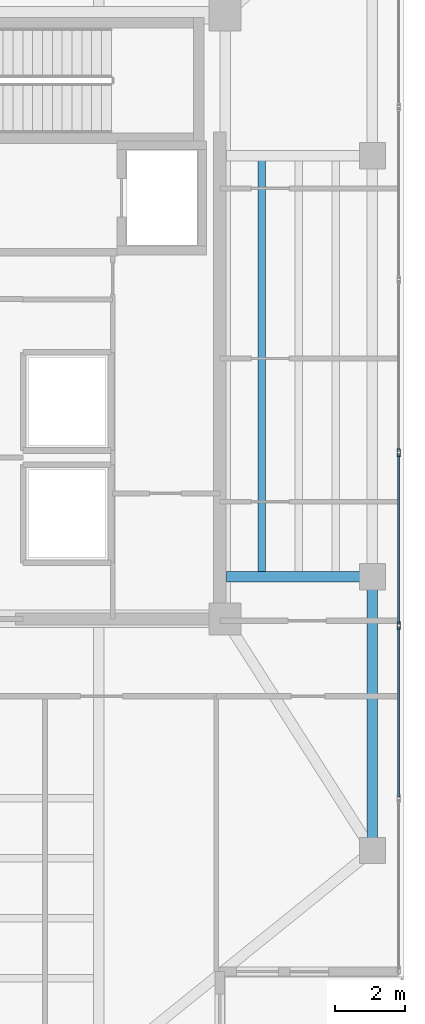
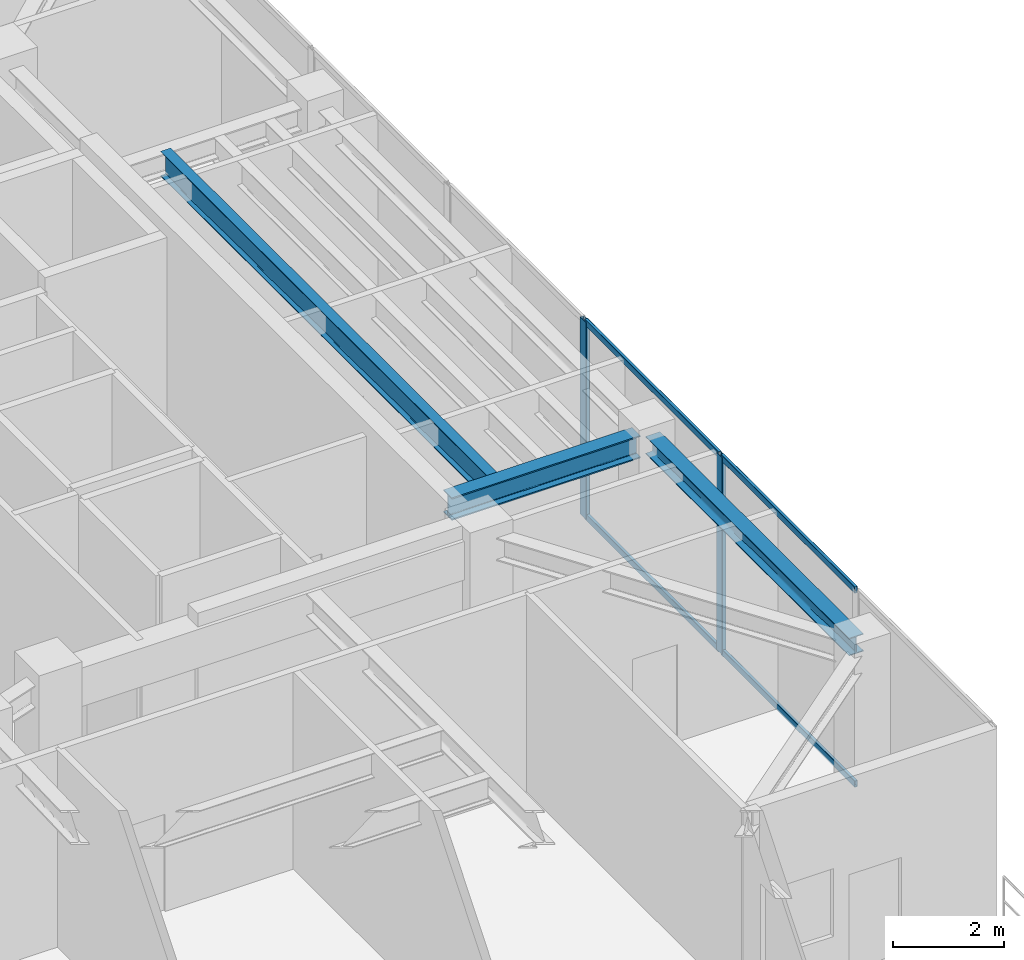
# One storey, part 14 of 34: 6 members, 3 beams, 1 element without a shape of its own.
"""IFC4 building model written with IfcOpenShell, lengths in metres."""

from ifc_helpers import new_model, si_unit, direction, frame, origin, origin_2d, place, context, subcontext, project, spatial, hollow_rectangle, i_section, extrude, material, layer, layer_set, material_profile, profile_set, type_object, element, aggregate, save


model = new_model("IFC4")

# Units and contexts
model_context = context("Model", 3, precision=1e-05, world=origin(), true_north=direction((0.0, 1.0)))
body_context = subcontext(model_context, "Body", "Model", "MODEL_VIEW")
ifc_project = project(units=[si_unit("LENGTHUNIT", "METRE"), si_unit("AREAUNIT", "SQUARE_METRE"), si_unit("VOLUMEUNIT", "CUBIC_METRE"), si_unit("PLANEANGLEUNIT", "RADIAN"), si_unit("MASSUNIT", "GRAM", prefix="KILO")], contexts=[model_context])

# Site, building, storey
site_placement = place(None, origin())
site = spatial("IfcSite", under=ifc_project, at=site_placement, CompositionType="ELEMENT")
building_placement = place(site_placement, origin())
building = spatial("IfcBuilding", under=site, at=building_placement, Name="Tarnavaz Court Tower", CompositionType="ELEMENT")
storey_placement = place(building_placement, frame((0.0, 0.0, 231.75)))
storey = spatial("IfcBuildingStorey", under=building, at=storey_placement, Name="L63", CompositionType="ELEMENT", Elevation=231.75)

# Beams
ifc_material_1 = material(Name="Steel S355", Category="steel")
ifc_material_profile_1 = material_profile(ifc_material_1, i_section(OverallWidth=0.300048828125, OverallDepth=0.5, WebThickness=0.014404296875, FlangeThickness=0.028076171875, FilletRadius=0.027099609375, at=origin_2d()), Name="HEB 500")
ifc_profile_set_1 = profile_set([ifc_material_profile_1], Name="Steel S355")
beam_type_1 = type_object("IfcBeamType", Name="BM-G-HEB500", PredefinedType="USERDEFINED", material=ifc_profile_set_1)
beam_1_placement = place(storey_placement, frame((18.639892578125, -6.0, 4.10009765625), z_axis=(1.0, 0.0, 0.0), x_axis=(0.0, 1.0, 0.0)))
element("IfcBeam", 1, at=beam_1_placement, inside=storey, type_object=beam_type_1, Name="L63 Beam RG-09", ObjectType="GIRDER", PredefinedType="USERDEFINED", context=body_context, shape_type="SweptSolid", body=[
    extrude(i_section(OverallWidth=0.300048828125, OverallDepth=0.5, WebThickness=0.014404296875, FlangeThickness=0.028076171875, FilletRadius=0.027099609375, at=origin_2d()), origin(), (0.0, 0.0, 1.0), 3.940185546875),
])
ifc_material_profile_2 = material_profile(ifc_material_1, i_section(OverallWidth=0.2099609375, OverallDepth=0.550048828125, WebThickness=0.010986328125, FlangeThickness=0.01708984375, FilletRadius=0.02392578125, at=origin_2d()), Name="IPE 550")
ifc_profile_set_2 = profile_set([ifc_material_profile_2], Name="Steel S355")
beam_type_2 = type_object("IfcBeamType", Name="BM-J-IPE550", PredefinedType="JOIST", material=ifc_profile_set_2)
beam_2_placement = place(storey_placement, frame((19.64990234375, -5.9599609375, 4.074951171875), z_axis=(0.0, 1.0, 0.0), x_axis=(-1.0, 0.0, 0.0)))
element("IfcBeam", 2, at=beam_2_placement, inside=storey, type_object=beam_type_2, Name="L63 Beam JE1", PredefinedType="JOIST", context=body_context, shape_type="SweptSolid", body=[
    extrude(i_section(OverallWidth=0.2099609375, OverallDepth=0.550048828125, WebThickness=0.010986328125, FlangeThickness=0.01708984375, FilletRadius=0.02392578125, at=origin_2d()), origin(), (0.0, 0.0, 1.0), 11.919921875),
])
ifc_material_profile_3 = material_profile(ifc_material_1, i_section(OverallWidth=0.300048828125, OverallDepth=0.389892578125, WebThickness=0.010986328125, FlangeThickness=0.01904296875, FilletRadius=0.027099609375, at=origin_2d()), Name="HEA 400")
ifc_profile_set_3 = profile_set([ifc_material_profile_3], Name="Steel S355")
beam_type_3 = type_object("IfcBeamType", Name="BM-SP-HEA400", PredefinedType="BEAM", material=ifc_profile_set_3)
beam_3_placement = place(storey_placement, frame((22.800048828125, -13.580078125, 4.155029296875), z_axis=(0.0, 1.0, 0.0), x_axis=(-1.0, 0.0, 0.0)))
element("IfcBeam", 3, at=beam_3_placement, inside=storey, type_object=beam_type_3, Name="L63 Beam PR-PE-1-PE-2", PredefinedType="BEAM", context=body_context, shape_type="SweptSolid", body=[
    extrude(i_section(OverallWidth=0.300048828125, OverallDepth=0.389892578125, WebThickness=0.010986328125, FlangeThickness=0.01904296875, FilletRadius=0.027099609375, at=origin_2d()), origin(), (0.0, 0.0, 1.0), 7.360107421875),
])

# Curtain wall, members
ifc_material_2 = material(Name="Anodised Aluminium 6063-T6 and Solar Low-E Glazing", Category="aluminium")
ifc_layer = layer(ifc_material_2, 0.199951171875)
ifc_layer_set = layer_set([ifc_layer], Name="Anodised Aluminium 6063-T6 and Solar Low-E Glazing")
curtain_wall_type = type_object("IfcCurtainWallType", Name="CW-SYS-05", PredefinedType="NOTDEFINED", material=ifc_layer_set)
curtain_wall_placement = place(storey_placement, origin())
curtain_wall = element("IfcCurtainWall", 4, at=curtain_wall_placement, inside=storey, type_object=curtain_wall_type, Name="L63 Sky-Portal Curtain Wall 12", PredefinedType="NOTDEFINED")
ifc_material_3 = material(Name="Anodised Aluminium 6063-T6", Category="aluminium")
ifc_material_profile_4 = material_profile(ifc_material_3, hollow_rectangle(XDim=0.0849609375, YDim=0.219970703125, WallThickness=0.006103515625, InnerFilletRadius=0.006103515625, OuterFilletRadius=0.011962890625, at=origin_2d()), Name="ALU RHS 220X85X6")
ifc_profile_set_4 = profile_set([ifc_material_profile_4], Name="Anodised Aluminium 6063-T6")
member_type_1 = type_object("IfcMemberType", Name="CW-MUL-220", PredefinedType="MULLION", material=ifc_profile_set_4)
member_1_placement = place(storey_placement, frame((23.550048828125, -2.46435546875, 0.0), z_axis=(0.0, 0.0, 1.0), x_axis=(1.0, 0.0, 0.0)))
member_1 = element("IfcMember", 5, at=member_1_placement, type_object=member_type_1, Name="CW mullion 5", PredefinedType="MULLION", context=body_context, shape_type="SweptSolid", body=[
    extrude(hollow_rectangle(XDim=0.0849609375, YDim=0.219970703125, WallThickness=0.006103515625, InnerFilletRadius=0.006103515625, OuterFilletRadius=0.011962890625, at=origin_2d()), origin(), (0.0, 0.0, 1.0), 4.35009765625),
])
member_2_placement = place(storey_placement, frame((23.550048828125, -7.392822265625, 0.0), z_axis=(0.0, 0.0, 1.0), x_axis=(1.0, 0.0, 0.0)))
member_2 = element("IfcMember", 6, at=member_2_placement, type_object=member_type_1, Name="CW mullion 6", PredefinedType="MULLION", context=body_context, shape_type="SweptSolid", body=[
    extrude(hollow_rectangle(XDim=0.0849609375, YDim=0.219970703125, WallThickness=0.006103515625, InnerFilletRadius=0.006103515625, OuterFilletRadius=0.011962890625, at=origin_2d()), origin(), (0.0, 0.0, 1.0), 4.35009765625),
])
ifc_material_profile_5 = material_profile(ifc_material_3, hollow_rectangle(XDim=0.06494140625, YDim=0.139892578125, WallThickness=0.00390625, InnerFilletRadius=0.00390625, OuterFilletRadius=0.008056640625, at=origin_2d()), Name="ALU RHS 140X65X4")
ifc_profile_set_5 = profile_set([ifc_material_profile_5], Name="Anodised Aluminium 6063-T6")
member_type_2 = type_object("IfcMemberType", Name="CW-TRN-140", PredefinedType="USERDEFINED", material=ifc_profile_set_5)
member_3_placement = place(storey_placement, frame((23.550048828125, -2.5068359375, 0.032470703125), z_axis=(0.0, -1.0, 0.0), x_axis=(1.0, 0.0, 0.0)))
member_3 = element("IfcMember", 7, at=member_3_placement, type_object=member_type_2, Name="CW transom 5.1", ObjectType="TRANSOM", PredefinedType="USERDEFINED", context=body_context, shape_type="SweptSolid", body=[
    extrude(hollow_rectangle(XDim=0.06494140625, YDim=0.139892578125, WallThickness=0.00390625, InnerFilletRadius=0.00390625, OuterFilletRadius=0.008056640625, at=origin_2d()), origin(), (0.0, 0.0, 1.0), 4.843505859375),
])
member_4_placement = place(storey_placement, frame((23.550048828125, -2.5068359375, 4.3173828125), z_axis=(0.0, -1.0, 0.0), x_axis=(1.0, 0.0, 0.0)))
member_4 = element("IfcMember", 8, at=member_4_placement, type_object=member_type_2, Name="CW transom 5.2", ObjectType="TRANSOM", PredefinedType="USERDEFINED", context=body_context, shape_type="SweptSolid", body=[
    extrude(hollow_rectangle(XDim=0.06494140625, YDim=0.139892578125, WallThickness=0.00390625, InnerFilletRadius=0.00390625, OuterFilletRadius=0.008056640625, at=origin_2d()), origin(), (0.0, 0.0, 1.0), 4.843505859375),
])
member_5_placement = place(storey_placement, frame((23.550048828125, -7.435302734375, 0.032470703125), z_axis=(0.0, -1.0, 0.0), x_axis=(1.0, 0.0, 0.0)))
member_5 = element("IfcMember", 9, at=member_5_placement, type_object=member_type_2, Name="CW transom 6.1", ObjectType="TRANSOM", PredefinedType="USERDEFINED", context=body_context, shape_type="SweptSolid", body=[
    extrude(hollow_rectangle(XDim=0.06494140625, YDim=0.139892578125, WallThickness=0.00390625, InnerFilletRadius=0.00390625, OuterFilletRadius=0.008056640625, at=origin_2d()), origin(), (0.0, 0.0, 1.0), 4.843505859375),
])
member_6_placement = place(storey_placement, frame((23.550048828125, -7.435302734375, 4.3173828125), z_axis=(0.0, -1.0, 0.0), x_axis=(1.0, 0.0, 0.0)))
member_6 = element("IfcMember", 10, at=member_6_placement, type_object=member_type_2, Name="CW transom 6.2", ObjectType="TRANSOM", PredefinedType="USERDEFINED", context=body_context, shape_type="SweptSolid", body=[
    extrude(hollow_rectangle(XDim=0.06494140625, YDim=0.139892578125, WallThickness=0.00390625, InnerFilletRadius=0.00390625, OuterFilletRadius=0.008056640625, at=origin_2d()), origin(), (0.0, 0.0, 1.0), 4.843505859375),
])
aggregate(curtain_wall, [member_1, member_2, member_3, member_4, member_5, member_6])

save(model, "model.ifc")
